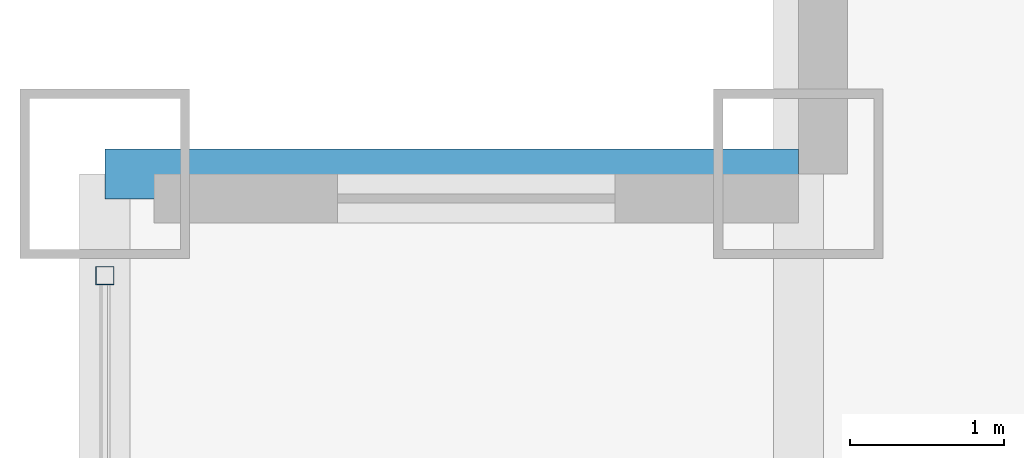
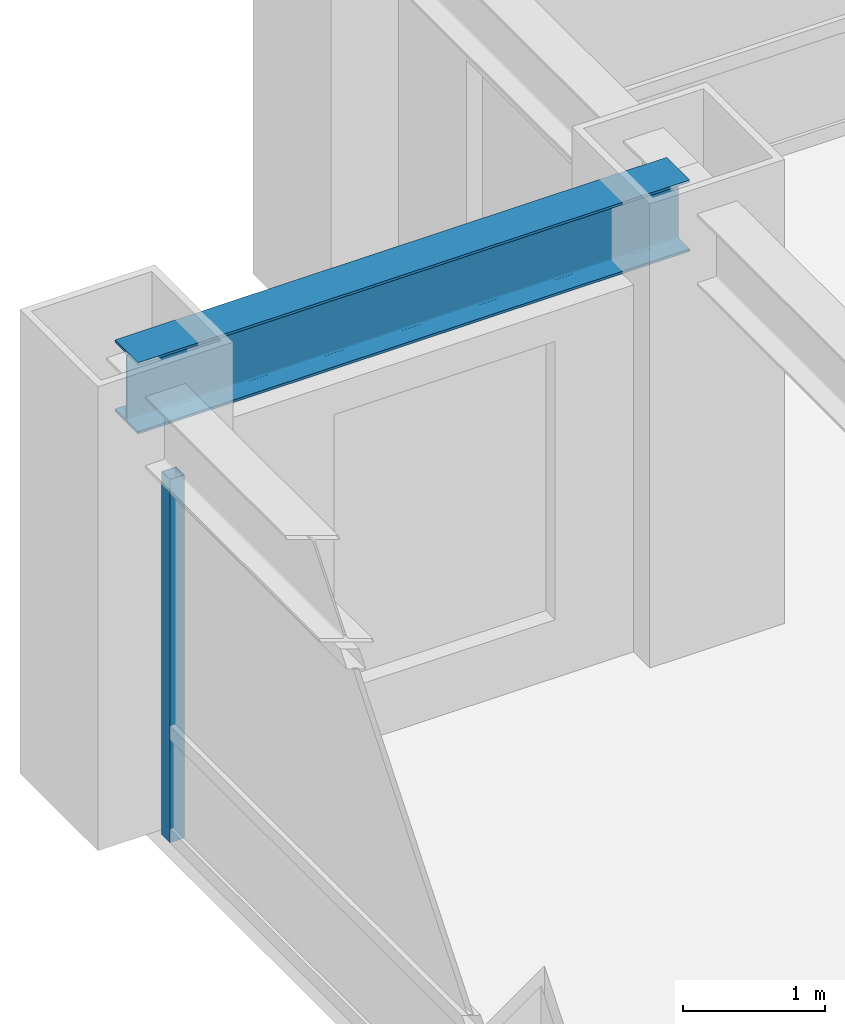
# One storey, part 12 of 24: 1 beam, 1 member, 1 element without a shape of its own.
"""IFC4 building model written with IfcOpenShell, lengths in metres."""

from ifc_helpers import new_model, si_unit, direction, frame, origin, origin_2d, place, context, subcontext, project, spatial, hollow_rectangle, i_section, extrude, source, transform, mapped, material, material_profile, profile_set, type_object, element, aggregate, save


model = new_model("IFC4")

# Units and contexts
model_context = context("Model", 3, precision=1e-05, world=origin(), true_north=direction((0.0, 1.0)))
body_context = subcontext(model_context, "Body", "Model", "MODEL_VIEW")
ifc_project = project(units=[si_unit("LENGTHUNIT", "METRE"), si_unit("AREAUNIT", "SQUARE_METRE"), si_unit("VOLUMEUNIT", "CUBIC_METRE"), si_unit("PLANEANGLEUNIT", "RADIAN"), si_unit("MASSUNIT", "GRAM", prefix="KILO")], contexts=[model_context])

# Site, building, storey
site_placement = place(None, origin())
site = spatial("IfcSite", under=ifc_project, at=site_placement, CompositionType="ELEMENT")
building_placement = place(site_placement, origin())
building = spatial("IfcBuilding", under=site, at=building_placement, Name="Khorayat Bourse Tower", CompositionType="ELEMENT")
storey_placement = place(building_placement, frame((0.0, 0.0, 159.10009765625)))
storey = spatial("IfcBuildingStorey", under=building, at=storey_placement, Name="L36", CompositionType="ELEMENT", Elevation=159.10009765625)

# Beam
ifc_material_1 = material(Name="Steel ASTM A992 Grade 50", Category="steel")
ifc_material_profile_1 = material_profile(ifc_material_1, i_section(OverallWidth=0.324951171875, OverallDepth=0.615966796875, WebThickness=0.013916015625, FlangeThickness=0.021484375, FilletRadius=0.01611328125, at=origin_2d()), Name="W610X174")
ifc_profile_set_1 = profile_set([ifc_material_profile_1], Name="Steel ASTM A992 Grade 50")
beam_type = type_object("IfcBeamType", Name="BM-SPAN-610", PredefinedType="SPANDREL", material=ifc_profile_set_1)
shared_shape_1 = source(origin(), body_context, "Body", "SweptSolid", [
    extrude(i_section(OverallWidth=0.324951171875, OverallDepth=0.615966796875, WebThickness=0.013916015625, FlangeThickness=0.021484375, FilletRadius=0.01611328125, at=origin_2d()), origin(), (0.0, 0.0, 1.0), 4.5),
])
beam_placement = place(storey_placement, frame((-30.0, 25.5, 3.471923828125), z_axis=(1.0, 0.0, 0.0), x_axis=(0.0, 1.0, 0.0)))
element("IfcBeam", 1, at=beam_placement, inside=storey, type_object=beam_type, Name="L36 BM-SPAN-610 BM-L36-SPN-053", PredefinedType="SPANDREL", context=body_context, shape_type="MappedRepresentation", body=[
    mapped(shared_shape_1, transform((0.0, 0.0, 0.0), scale=1.0)),
])

# Curtain wall, member
ifc_material_2 = material(Name="Aluminium EN AW-6063 T6", Category="aluminium")
curtain_wall_type = type_object("IfcCurtainWallType", Name="CW-SYS-03", PredefinedType="NOTDEFINED", material=ifc_material_2)
curtain_wall_placement = place(storey_placement, origin())
curtain_wall = element("IfcCurtainWall", 2, at=curtain_wall_placement, inside=storey, type_object=curtain_wall_type, Name="L36 Curtain Wall CW-L36-W1", PredefinedType="NOTDEFINED")
ifc_material_profile_2 = material_profile(ifc_material_2, hollow_rectangle(XDim=0.1201171875, YDim=0.1201171875, WallThickness=0.0048828125, at=origin_2d()), Name="ALU 120x120x5")
ifc_profile_set_2 = profile_set([ifc_material_profile_2], Name="Aluminium EN AW-6063 T6")
member_type = type_object("IfcMemberType", Name="CWM-VERT-120", PredefinedType="MULLION", material=ifc_profile_set_2)
shared_shape_2 = source(origin(), body_context, "Body", "SweptSolid", [
    extrude(hollow_rectangle(XDim=0.1201171875, YDim=0.1201171875, WallThickness=0.0048828125, at=origin_2d()), origin(), (0.0, 0.0, 1.0), 3.1298828125),
])
member_placement = place(storey_placement, frame((-30.0, 24.840087890625, 0.0), z_axis=(0.0, 0.0, 1.0), x_axis=(-1.0, 0.0, 0.0)))
member = element("IfcMember", 3, at=member_placement, type_object=member_type, Name="CW-L36-W1 Vertical Mullion 3", PredefinedType="MULLION", context=body_context, shape_type="MappedRepresentation", body=[
    mapped(shared_shape_2, transform((0.0, 0.0, 0.0), scale=1.0)),
])
aggregate(curtain_wall, [member])

save(model, "model.ifc")
